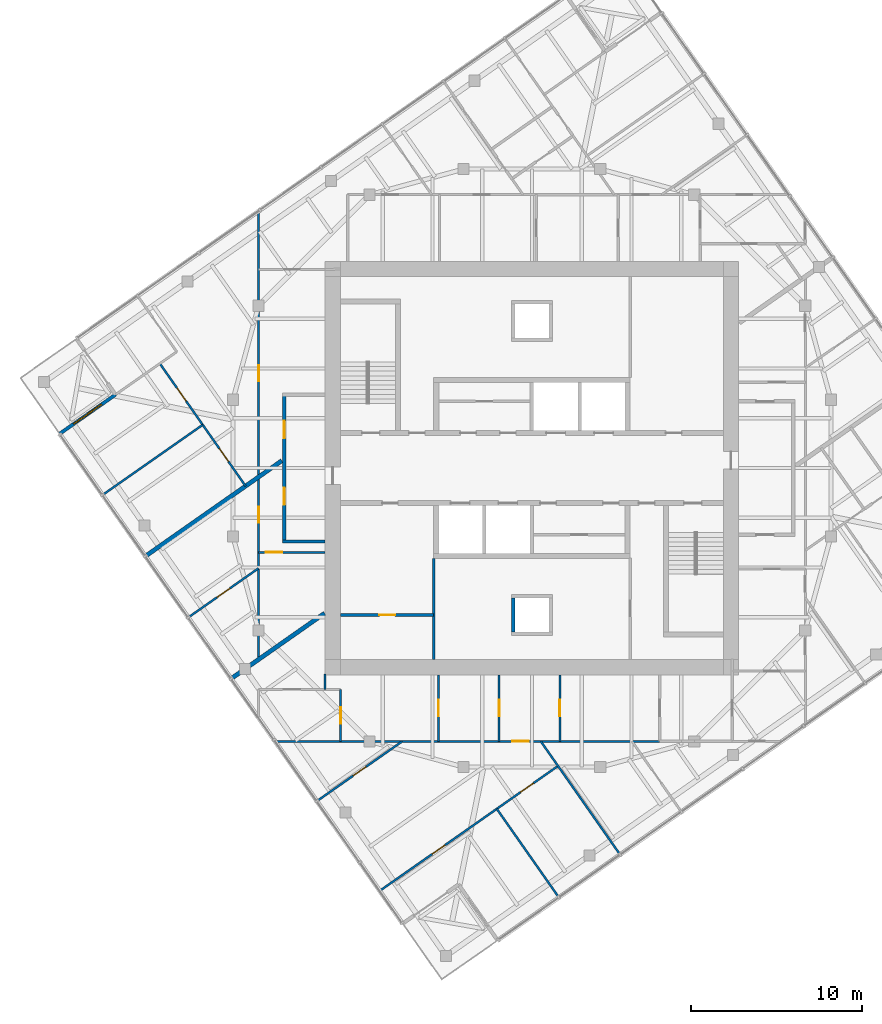
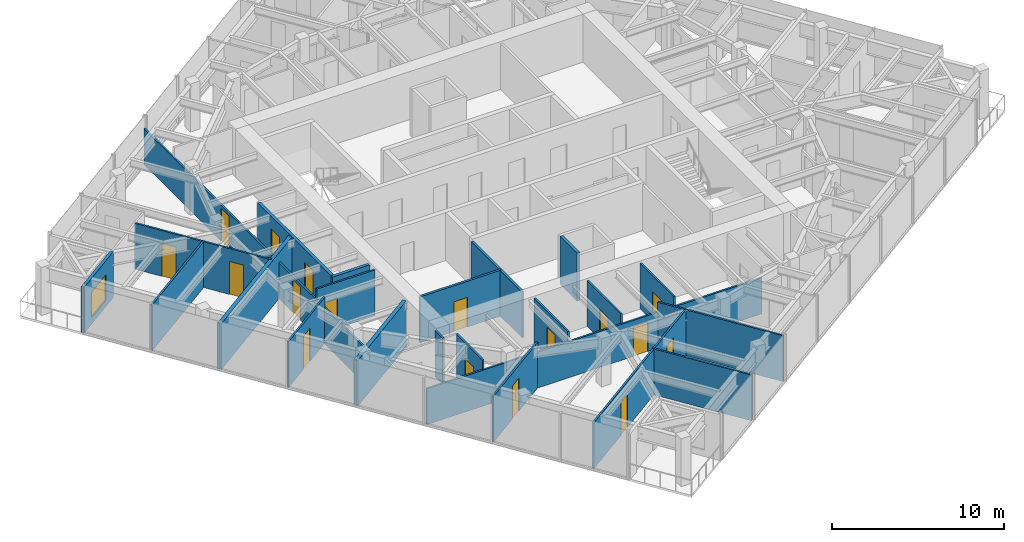
# One storey, part 7 of 12: 23 walls, 17 doors, 1 window, 18 openings.
"""IFC4 building model written with IfcOpenShell, lengths in metres."""

from ifc_helpers import new_model, si_unit, direction, frame, frame_2d, origin, place, context, subcontext, project, spatial, rectangle, extrude, material, layer, layer_set, type_object, element, fill, save


model = new_model("IFC4")

# Units and contexts
model_context = context("Model", 3, precision=1e-05, world=origin(), true_north=direction((0.0, 1.0)))
body_context = subcontext(model_context, "Body", "Model", "MODEL_VIEW")
ifc_project = project(units=[si_unit("LENGTHUNIT", "METRE"), si_unit("AREAUNIT", "SQUARE_METRE"), si_unit("VOLUMEUNIT", "CUBIC_METRE"), si_unit("PLANEANGLEUNIT", "RADIAN"), si_unit("MASSUNIT", "GRAM", prefix="KILO")], contexts=[model_context])

# Site, building, storey
site_placement = place(None, origin())
site = spatial("IfcSite", under=ifc_project, at=site_placement, CompositionType="ELEMENT")
building_placement = place(site_placement, origin())
building = spatial("IfcBuilding", under=site, at=building_placement, Name="Torsade Residences", CompositionType="ELEMENT")
storey_placement = place(building_placement, frame((0.0, 0.0, 257.39990234375)))
storey = spatial("IfcBuildingStorey", under=building, at=storey_placement, Name="L71", CompositionType="ELEMENT", Elevation=257.39990234375)

# Wall, openings, doors
ifc_material_1 = material(Name="Plasterboard on steel stud", Category="steel")
ifc_layer_1 = layer(ifc_material_1, 0.199951171875)
ifc_layer_set_1 = layer_set([ifc_layer_1], Name="Plasterboard on steel stud")
wall_type_1 = type_object("IfcWallType", Name="CORRIDOR WALL 200", PredefinedType="PARTITIONING", material=ifc_layer_set_1)
wall_1_placement = place(storey_placement, frame((25.5, 25.699951171875, 0.0), z_axis=(0.0, 0.0, 1.0), x_axis=(0.0, 1.0, 0.0)))
wall_1 = element("IfcWall", 1, at=wall_1_placement, inside=storey, type_object=wall_type_1, Name="Corridor wall L71", PredefinedType="PARTITIONING", context=body_context, shape_type="SweptSolid", body=[
    extrude(rectangle(XDim=8.60009765625, YDim=0.199951171875, at=frame_2d((4.300048828125, 0.0))), origin(), (0.0, 0.0, 1.0), 3.25),
])
opening_1_placement = place(wall_1_placement, frame((2.14208984375, 0.0, 0.0)))
opening_1 = element("IfcOpeningElement", 2, at=opening_1_placement, cuts=wall_1, Name="Opening D01", PredefinedType="OPENING", context=body_context, shape_type="SweptSolid", body=[
    extrude(rectangle(XDim=1.02001953125, YDim=2.340087890625, at=frame_2d((0.510009765625, 1.169921875))), frame((0.0, 0.10986328125, 0.0), z_axis=(0.0, -1.0, 0.0), x_axis=(1.0, 0.0, 0.0)), (0.0, 0.0, 1.0), 0.219970703125),
])
opening_2_placement = place(wall_1_placement, frame((6.036865234375, 0.0, 0.0)))
opening_2 = element("IfcOpeningElement", 3, at=opening_2_placement, cuts=wall_1, Name="Opening D01", PredefinedType="OPENING", context=body_context, shape_type="SweptSolid", body=[
    extrude(rectangle(XDim=1.02001953125, YDim=2.340087890625, at=frame_2d((0.510009765625, 1.169921875))), frame((0.0, 0.10986328125, 0.0), z_axis=(0.0, -1.0, 0.0), x_axis=(1.0, 0.0, 0.0)), (0.0, 0.0, 1.0), 0.219970703125),
])
ifc_material_2 = material(Name="Solid-core timber fire door", Category="wood")
door_type_1 = type_object("IfcDoorType", Name="APARTMENT ENTRY DOOR 1020x2340", OperationType="NOTDEFINED", PredefinedType="DOOR", material=ifc_material_2)
door_1_placement = place(opening_1_placement, origin())
door_1 = element("IfcDoor", 4, at=door_1_placement, inside=storey, type_object=door_type_1, Name="Door Residential corridor to Kitchen and dining", OperationType="SINGLE_SWING_RIGHT", OverallHeight=2.340087890625, OverallWidth=1.02001953125, PredefinedType="DOOR", context=body_context, shape_type="SweptSolid", body=[
    extrude(rectangle(XDim=1.02001953125, YDim=2.340087890625, at=frame_2d((0.510009765625, 1.169921875))), frame((0.0, 0.02490234375, 0.0), z_axis=(0.0, -1.0, 0.0), x_axis=(1.0, 0.0, 0.0)), (0.0, 0.0, 1.0), 0.050048828125),
])
fill(opening_1, door_1)
door_2_placement = place(opening_2_placement, origin())
door_2 = element("IfcDoor", 5, at=door_2_placement, inside=storey, type_object=door_type_1, Name="Door Residential corridor to Kitchen and dining", OperationType="SINGLE_SWING_LEFT", OverallHeight=2.340087890625, OverallWidth=1.02001953125, PredefinedType="DOOR", context=body_context, shape_type="SweptSolid", body=[
    extrude(rectangle(XDim=1.02001953125, YDim=2.340087890625, at=frame_2d((0.510009765625, 1.169921875))), frame((0.0, 0.02490234375, 0.0), z_axis=(0.0, -1.0, 0.0), x_axis=(1.0, 0.0, 0.0)), (0.0, 0.0, 1.0), 0.050048828125),
])
fill(opening_2, door_2)

# Wall
wall_2_placement = place(storey_placement, frame((27.89990234375, 25.699951171875, 0.0), z_axis=(0.0, 0.0, 1.0), x_axis=(-1.0, 0.0, 0.0)))
element("IfcWall", 6, at=wall_2_placement, inside=storey, type_object=wall_type_1, Name="Corridor wall L71", PredefinedType="PARTITIONING", context=body_context, shape_type="SweptSolid", body=[
    extrude(rectangle(XDim=2.5, YDim=0.199951171875, at=frame_2d((1.25, 0.0))), origin(), (0.0, 0.0, 1.0), 3.25),
])

# Wall, opening, door
ifc_material_3 = material(Name="Plasterboard on steel stud", Category="steel")
ifc_layer_2 = layer(ifc_material_3, 0.1201171875)
ifc_layer_set_2 = layer_set([ifc_layer_2], Name="Plasterboard on steel stud")
wall_type_2 = type_object("IfcWallType", Name="PARTITION 120", PredefinedType="PARTITIONING", material=ifc_layer_set_2)
wall_3_placement = place(storey_placement, frame((27.89990234375, 25.06787109375, 0.0), z_axis=(0.0, 0.0, 1.0), x_axis=(-1.0, 0.0, 0.0)))
wall_3 = element("IfcWall", 7, at=wall_3_placement, inside=storey, type_object=wall_type_2, Name="Partition L71", PredefinedType="PARTITIONING", context=body_context, shape_type="SweptSolid", body=[
    extrude(rectangle(XDim=3.89990234375, YDim=0.1201171875, at=frame_2d((1.949951171875, 0.0))), origin(), (0.0, 0.0, 1.0), 3.25),
])
opening_3_placement = place(wall_3_placement, frame((2.52001953125, 0.0, 0.0)))
opening_3 = element("IfcOpeningElement", 8, at=opening_3_placement, cuts=wall_3, Name="Opening D05", PredefinedType="OPENING", context=body_context, shape_type="SweptSolid", body=[
    extrude(rectangle(XDim=0.9599609375, YDim=2.10009765625, at=frame_2d((0.47998046875, 1.050048828125))), frame((0.0, 0.070068359375, 0.0), z_axis=(0.0, -1.0, 0.0), x_axis=(1.0, 0.0, 0.0)), (0.0, 0.0, 1.0), 0.14013671875),
])
ifc_material_4 = material(Name="Hollow-core timber door in a steel cavity frame", Category="steel")
door_type_2 = type_object("IfcDoorType", Name="BATHROOM CAVITY SLIDING DOOR 960", OperationType="SLIDING_TO_LEFT", PredefinedType="DOOR", material=ifc_material_4)
door_3_placement = place(opening_3_placement, origin())
door_3 = element("IfcDoor", 9, at=door_3_placement, inside=storey, type_object=door_type_2, Name="Door Kitchen and dining to Bathroom", OperationType="SLIDING_TO_LEFT", OverallHeight=2.10009765625, OverallWidth=0.9599609375, PredefinedType="DOOR", context=body_context, shape_type="SweptSolid", body=[
    extrude(rectangle(XDim=0.9599609375, YDim=2.10009765625, at=frame_2d((0.47998046875, 1.050048828125))), frame((0.0, 0.02490234375, 0.0), z_axis=(0.0, -1.0, 0.0), x_axis=(1.0, 0.0, 0.0)), (0.0, 0.0, 1.0), 0.050048828125),
])
fill(opening_3, door_3)

# Wall, openings, doors
wall_4_placement = place(storey_placement, frame((24.0, 18.796630859375, 0.0), z_axis=(0.0, 0.0, 1.0), x_axis=(0.0, 1.0, 0.0)))
wall_4 = element("IfcWall", 10, at=wall_4_placement, inside=storey, type_object=wall_type_2, Name="Partition L71", PredefinedType="PARTITIONING", context=body_context, shape_type="SweptSolid", body=[
    extrude(rectangle(XDim=26.19775390625, YDim=0.1201171875, at=frame_2d((13.098876953125, 0.0))), origin(), (0.0, 0.0, 1.0), 2.550048828125),
])
opening_4_placement = place(wall_4_placement, frame((8.016357421875, 0.0, 0.0)))
opening_4 = element("IfcOpeningElement", 11, at=opening_4_placement, cuts=wall_4, Name="Opening D02", PredefinedType="OPENING", context=body_context, shape_type="SweptSolid", body=[
    extrude(rectangle(XDim=0.919921875, YDim=2.340087890625, at=frame_2d((0.4599609375, 1.169921875))), frame((0.0, 0.070068359375, 0.0), z_axis=(0.0, -1.0, 0.0), x_axis=(1.0, 0.0, 0.0)), (0.0, 0.0, 1.0), 0.14013671875),
])
opening_5_placement = place(wall_4_placement, frame((16.291748046875, 0.0, 0.0)))
opening_5 = element("IfcOpeningElement", 12, at=opening_5_placement, cuts=wall_4, Name="Opening D02", PredefinedType="OPENING", context=body_context, shape_type="SweptSolid", body=[
    extrude(rectangle(XDim=0.919921875, YDim=2.340087890625, at=frame_2d((0.4599609375, 1.169921875))), frame((0.0, 0.070068359375, 0.0), z_axis=(0.0, -1.0, 0.0), x_axis=(1.0, 0.0, 0.0)), (0.0, 0.0, 1.0), 0.14013671875),
])
ifc_material_5 = material(Name="Hollow-core timber door", Category="wood")
door_type_3 = type_object("IfcDoorType", Name="INTERNAL DOOR 920x2340", OperationType="NOTDEFINED", PredefinedType="DOOR", material=ifc_material_5)
door_4_placement = place(opening_4_placement, origin())
door_4 = element("IfcDoor", 13, at=door_4_placement, inside=storey, type_object=door_type_3, Name="Door Kitchen and dining to Living room", OperationType="SINGLE_SWING_RIGHT", OverallHeight=2.340087890625, OverallWidth=0.919921875, PredefinedType="DOOR", context=body_context, shape_type="SweptSolid", body=[
    extrude(rectangle(XDim=0.919921875, YDim=2.340087890625, at=frame_2d((0.4599609375, 1.169921875))), frame((0.0, 0.02490234375, 0.0), z_axis=(0.0, -1.0, 0.0), x_axis=(1.0, 0.0, 0.0)), (0.0, 0.0, 1.0), 0.050048828125),
])
fill(opening_4, door_4)
door_5_placement = place(opening_5_placement, origin())
door_5 = element("IfcDoor", 14, at=door_5_placement, inside=storey, type_object=door_type_3, Name="Door Kitchen and dining to Living room", OperationType="SINGLE_SWING_LEFT", OverallHeight=2.340087890625, OverallWidth=0.919921875, PredefinedType="DOOR", context=body_context, shape_type="SweptSolid", body=[
    extrude(rectangle(XDim=0.919921875, YDim=2.340087890625, at=frame_2d((0.4599609375, 1.169921875))), frame((0.0, 0.02490234375, 0.0), z_axis=(0.0, -1.0, 0.0), x_axis=(1.0, 0.0, 0.0)), (0.0, 0.0, 1.0), 0.050048828125),
])
fill(opening_5, door_5)

# Wall, opening, door
wall_5_placement = place(storey_placement, frame((24.0, 24.1376953125, 0.0), z_axis=(0.0, 0.0, 1.0), x_axis=(-0.819144584763, -0.57358708951, 0.0)))
wall_5 = element("IfcWall", 15, at=wall_5_placement, inside=storey, type_object=wall_type_2, Name="Partition L71", PredefinedType="PARTITIONING", context=body_context, shape_type="SweptSolid", body=[
    extrude(rectangle(XDim=4.990966796875, YDim=0.1201171875, at=frame_2d((2.49560546875, 0.0))), origin(), (0.0, 0.0, 1.0), 3.25),
])
opening_6_placement = place(wall_5_placement, frame((2.055419921875, 0.0, 0.0)))
opening_6 = element("IfcOpeningElement", 16, at=opening_6_placement, cuts=wall_5, Name="Opening D02", PredefinedType="OPENING", context=body_context, shape_type="SweptSolid", body=[
    extrude(rectangle(XDim=0.919921875, YDim=2.340087890625, at=frame_2d((0.4599609375, 1.169921875))), frame((0.0, 0.070068359375, 0.0), z_axis=(0.0, -1.0, 0.0), x_axis=(1.0, 0.0, 0.0)), (0.0, 0.0, 1.0), 0.14013671875),
])
door_6_placement = place(opening_6_placement, origin())
door_6 = element("IfcDoor", 17, at=door_6_placement, inside=storey, type_object=door_type_3, Name="Door Living room to Bedroom 1", OperationType="SINGLE_SWING_LEFT", OverallHeight=2.340087890625, OverallWidth=0.919921875, PredefinedType="DOOR", context=body_context, shape_type="SweptSolid", body=[
    extrude(rectangle(XDim=0.919921875, YDim=2.340087890625, at=frame_2d((0.4599609375, 1.169921875))), frame((0.0, 0.02490234375, 0.0), z_axis=(0.0, -1.0, 0.0), x_axis=(1.0, 0.0, 0.0)), (0.0, 0.0, 1.0), 0.050048828125),
])
fill(opening_6, door_6)

# Wall
wall_6_placement = place(storey_placement, frame((27.89990234375, 17.949951171875, 0.0), z_axis=(0.0, 0.0, 1.0), x_axis=(0.0, -1.0, 0.0)))
element("IfcWall", 18, at=wall_6_placement, inside=storey, type_object=wall_type_2, Name="Partition L71", PredefinedType="PARTITIONING", context=body_context, shape_type="SweptSolid", body=[
    extrude(rectangle(XDim=0.90869140625, YDim=0.1201171875, at=frame_2d((0.454345703125, 0.0))), origin(), (0.0, 0.0, 1.0), 3.25),
])

# Wall, opening, door
wall_7_placement = place(storey_placement, frame((28.80712890625, 17.041259765625, 0.0), z_axis=(0.0, 0.0, 1.0), x_axis=(0.0, -1.0, 0.0)))
wall_7 = element("IfcWall", 19, at=wall_7_placement, inside=storey, type_object=wall_type_2, Name="Partition L71", PredefinedType="PARTITIONING", context=body_context, shape_type="SweptSolid", body=[
    extrude(rectangle(XDim=3.041259765625, YDim=0.1201171875, at=frame_2d((1.5205078125, 0.0))), origin(), (0.0, 0.0, 1.0), 3.25),
])
opening_7_placement = place(wall_7_placement, frame((1.04052734375, 0.0, 0.0)))
opening_7 = element("IfcOpeningElement", 20, at=opening_7_placement, cuts=wall_7, Name="Opening D05", PredefinedType="OPENING", context=body_context, shape_type="SweptSolid", body=[
    extrude(rectangle(XDim=0.9599609375, YDim=2.10009765625, at=frame_2d((0.47998046875, 1.050048828125))), frame((0.0, 0.070068359375, 0.0), z_axis=(0.0, -1.0, 0.0), x_axis=(1.0, 0.0, 0.0)), (0.0, 0.0, 1.0), 0.14013671875),
])
door_7_placement = place(opening_7_placement, origin())
door_7 = element("IfcDoor", 21, at=door_7_placement, inside=storey, type_object=door_type_2, Name="Door WC to Dressing room", OperationType="SLIDING_TO_LEFT", OverallHeight=2.10009765625, OverallWidth=0.9599609375, PredefinedType="DOOR", context=body_context, shape_type="SweptSolid", body=[
    extrude(rectangle(XDim=0.9599609375, YDim=2.10009765625, at=frame_2d((0.47998046875, 1.050048828125))), frame((0.0, 0.02490234375, 0.0), z_axis=(0.0, -1.0, 0.0), x_axis=(1.0, 0.0, 0.0)), (0.0, 0.0, 1.0), 0.050048828125),
])
fill(opening_7, door_7)

wall_8_placement = place(storey_placement, frame((47.476318359375, 14.0, 0.0), z_axis=(0.0, 0.0, 1.0), x_axis=(-1.0, 0.0, 0.0)))
wall_8 = element("IfcWall", 22, at=wall_8_placement, inside=storey, type_object=wall_type_2, Name="Partition L71", PredefinedType="PARTITIONING", context=body_context, shape_type="SweptSolid", body=[
    extrude(rectangle(XDim=22.470703125, YDim=0.1201171875, at=frame_2d((11.2353515625, 0.0))), origin(), (0.0, 0.0, 1.0), 2.550048828125),
])
opening_8_placement = place(wall_8_placement, frame((7.6640625, 0.0, 0.0)))
opening_8 = element("IfcOpeningElement", 23, at=opening_8_placement, cuts=wall_8, Name="Opening D05", PredefinedType="OPENING", context=body_context, shape_type="SweptSolid", body=[
    extrude(rectangle(XDim=0.9599609375, YDim=2.10009765625, at=frame_2d((0.47998046875, 1.050048828125))), frame((0.0, 0.070068359375, 0.0), z_axis=(0.0, -1.0, 0.0), x_axis=(1.0, 0.0, 0.0)), (0.0, 0.0, 1.0), 0.14013671875),
])
door_8_placement = place(opening_8_placement, origin())
door_8 = element("IfcDoor", 24, at=door_8_placement, inside=storey, type_object=door_type_2, Name="Door Ensuite to Living room", OperationType="SLIDING_TO_LEFT", OverallHeight=2.10009765625, OverallWidth=0.9599609375, PredefinedType="DOOR", context=body_context, shape_type="SweptSolid", body=[
    extrude(rectangle(XDim=0.9599609375, YDim=2.10009765625, at=frame_2d((0.47998046875, 1.050048828125))), frame((0.0, 0.02490234375, 0.0), z_axis=(0.0, -1.0, 0.0), x_axis=(1.0, 0.0, 0.0)), (0.0, 0.0, 1.0), 0.050048828125),
])
fill(opening_8, door_8)

wall_9_placement = place(storey_placement, frame((34.5302734375, 17.89990234375, 0.0), z_axis=(0.0, 0.0, 1.0), x_axis=(0.0, -1.0, 0.0)))
wall_9 = element("IfcWall", 25, at=wall_9_placement, inside=storey, type_object=wall_type_2, Name="Partition L71", PredefinedType="PARTITIONING", context=body_context, shape_type="SweptSolid", body=[
    extrude(rectangle(XDim=3.89990234375, YDim=0.1201171875, at=frame_2d((1.949951171875, 0.0))), origin(), (0.0, 0.0, 1.0), 3.25),
])
opening_9_placement = place(wall_9_placement, frame((1.469970703125, 0.0, 0.0)))
opening_9 = element("IfcOpeningElement", 26, at=opening_9_placement, cuts=wall_9, Name="Opening D05", PredefinedType="OPENING", context=body_context, shape_type="SweptSolid", body=[
    extrude(rectangle(XDim=0.9599609375, YDim=2.10009765625, at=frame_2d((0.47998046875, 1.050048828125))), frame((0.0, 0.070068359375, 0.0), z_axis=(0.0, -1.0, 0.0), x_axis=(1.0, 0.0, 0.0)), (0.0, 0.0, 1.0), 0.14013671875),
])
door_9_placement = place(opening_9_placement, origin())
door_9 = element("IfcDoor", 27, at=door_9_placement, inside=storey, type_object=door_type_2, Name="Door Dressing room 2 to WC", OperationType="SLIDING_TO_LEFT", OverallHeight=2.10009765625, OverallWidth=0.9599609375, PredefinedType="DOOR", context=body_context, shape_type="SweptSolid", body=[
    extrude(rectangle(XDim=0.9599609375, YDim=2.10009765625, at=frame_2d((0.47998046875, 1.050048828125))), frame((0.0, 0.02490234375, 0.0), z_axis=(0.0, -1.0, 0.0), x_axis=(1.0, 0.0, 0.0)), (0.0, 0.0, 1.0), 0.050048828125),
])
fill(opening_9, door_9)

wall_10_placement = place(storey_placement, frame((38.081787109375, 14.0, 0.0), z_axis=(0.0, 0.0, 1.0), x_axis=(0.0, 1.0, 0.0)))
wall_10 = element("IfcWall", 28, at=wall_10_placement, inside=storey, type_object=wall_type_2, Name="Partition L71", PredefinedType="PARTITIONING", context=body_context, shape_type="SweptSolid", body=[
    extrude(rectangle(XDim=3.89990234375, YDim=0.1201171875, at=frame_2d((1.949951171875, 0.0))), origin(), (0.0, 0.0, 1.0), 3.25),
])
opening_10_placement = place(wall_10_placement, frame((1.469970703125, 0.0, 0.0)))
opening_10 = element("IfcOpeningElement", 29, at=opening_10_placement, cuts=wall_10, Name="Opening D05", PredefinedType="OPENING", context=body_context, shape_type="SweptSolid", body=[
    extrude(rectangle(XDim=0.9599609375, YDim=2.10009765625, at=frame_2d((0.47998046875, 1.050048828125))), frame((0.0, 0.070068359375, 0.0), z_axis=(0.0, -1.0, 0.0), x_axis=(1.0, 0.0, 0.0)), (0.0, 0.0, 1.0), 0.14013671875),
])
door_10_placement = place(opening_10_placement, origin())
door_10 = element("IfcDoor", 30, at=door_10_placement, inside=storey, type_object=door_type_2, Name="Door Ensuite to Dressing room 2", OperationType="SLIDING_TO_LEFT", OverallHeight=2.10009765625, OverallWidth=0.9599609375, PredefinedType="DOOR", context=body_context, shape_type="SweptSolid", body=[
    extrude(rectangle(XDim=0.9599609375, YDim=2.10009765625, at=frame_2d((0.47998046875, 1.050048828125))), frame((0.0, 0.02490234375, 0.0), z_axis=(0.0, -1.0, 0.0), x_axis=(1.0, 0.0, 0.0)), (0.0, 0.0, 1.0), 0.050048828125),
])
fill(opening_10, door_10)

wall_11_placement = place(storey_placement, frame((41.633544921875, 17.89990234375, 0.0), z_axis=(0.0, 0.0, 1.0), x_axis=(0.0, -1.0, 0.0)))
wall_11 = element("IfcWall", 31, at=wall_11_placement, inside=storey, type_object=wall_type_2, Name="Partition L71", PredefinedType="PARTITIONING", context=body_context, shape_type="SweptSolid", body=[
    extrude(rectangle(XDim=3.89990234375, YDim=0.1201171875, at=frame_2d((1.949951171875, 0.0))), origin(), (0.0, 0.0, 1.0), 3.25),
])
opening_11_placement = place(wall_11_placement, frame((1.469970703125, 0.0, 0.0)))
opening_11 = element("IfcOpeningElement", 32, at=opening_11_placement, cuts=wall_11, Name="Opening D05", PredefinedType="OPENING", context=body_context, shape_type="SweptSolid", body=[
    extrude(rectangle(XDim=0.9599609375, YDim=2.10009765625, at=frame_2d((0.47998046875, 1.050048828125))), frame((0.0, 0.070068359375, 0.0), z_axis=(0.0, -1.0, 0.0), x_axis=(1.0, 0.0, 0.0)), (0.0, 0.0, 1.0), 0.14013671875),
])
door_11_placement = place(opening_11_placement, origin())
door_11 = element("IfcDoor", 33, at=door_11_placement, inside=storey, type_object=door_type_2, Name="Door Laundry to Ensuite", OperationType="SLIDING_TO_LEFT", OverallHeight=2.10009765625, OverallWidth=0.9599609375, PredefinedType="DOOR", context=body_context, shape_type="SweptSolid", body=[
    extrude(rectangle(XDim=0.9599609375, YDim=2.10009765625, at=frame_2d((0.47998046875, 1.050048828125))), frame((0.0, 0.02490234375, 0.0), z_axis=(0.0, -1.0, 0.0), x_axis=(1.0, 0.0, 0.0)), (0.0, 0.0, 1.0), 0.050048828125),
])
fill(opening_11, door_11)

# Wall, openings, doors
wall_12_placement = place(storey_placement, frame((41.528076171875, 12.5625, 0.0), z_axis=(0.0, 0.0, 1.0), x_axis=(-0.819146182185, -0.573584808212, 0.0)))
wall_12 = element("IfcWall", 34, at=wall_12_placement, inside=storey, type_object=wall_type_2, Name="Partition L71", PredefinedType="PARTITIONING", context=body_context, shape_type="SweptSolid", body=[
    extrude(rectangle(XDim=12.7099609375, YDim=0.1201171875, at=frame_2d((6.35498046875, 0.0))), origin(), (0.0, 0.0, 1.0), 3.25),
])
opening_12_placement = place(wall_12_placement, frame((8.077392578125, 0.0, 0.0)))
opening_12 = element("IfcOpeningElement", 35, at=opening_12_placement, cuts=wall_12, Name="Opening D02", PredefinedType="OPENING", context=body_context, shape_type="SweptSolid", body=[
    extrude(rectangle(XDim=0.919921875, YDim=2.340087890625, at=frame_2d((0.4599609375, 1.169921875))), frame((0.0, 0.070068359375, 0.0), z_axis=(0.0, -1.0, 0.0), x_axis=(1.0, 0.0, 0.0)), (0.0, 0.0, 1.0), 0.14013671875),
])
opening_13_placement = place(wall_12_placement, frame((1.75244140625, 0.0, 0.0)))
opening_13 = element("IfcOpeningElement", 36, at=opening_13_placement, cuts=wall_12, Name="Opening D02", PredefinedType="OPENING", context=body_context, shape_type="SweptSolid", body=[
    extrude(rectangle(XDim=0.919921875, YDim=2.340087890625, at=frame_2d((0.4599609375, 1.169921875))), frame((0.0, 0.070068359375, 0.0), z_axis=(0.0, -1.0, 0.0), x_axis=(1.0, 0.0, 0.0)), (0.0, 0.0, 1.0), 0.14013671875),
])
door_12_placement = place(opening_12_placement, origin())
door_12 = element("IfcDoor", 37, at=door_12_placement, inside=storey, type_object=door_type_3, Name="Door Living room to Bedroom 1", OperationType="SINGLE_SWING_LEFT", OverallHeight=2.340087890625, OverallWidth=0.919921875, PredefinedType="DOOR", context=body_context, shape_type="SweptSolid", body=[
    extrude(rectangle(XDim=0.919921875, YDim=2.340087890625, at=frame_2d((0.4599609375, 1.169921875))), frame((0.0, 0.02490234375, 0.0), z_axis=(0.0, -1.0, 0.0), x_axis=(1.0, 0.0, 0.0)), (0.0, 0.0, 1.0), 0.050048828125),
])
fill(opening_12, door_12)
door_13_placement = place(opening_13_placement, origin())
door_13 = element("IfcDoor", 38, at=door_13_placement, inside=storey, type_object=door_type_3, Name="Door Living room to Study 2", OperationType="SINGLE_SWING_RIGHT", OverallHeight=2.340087890625, OverallWidth=0.919921875, PredefinedType="DOOR", context=body_context, shape_type="SweptSolid", body=[
    extrude(rectangle(XDim=0.919921875, YDim=2.340087890625, at=frame_2d((0.4599609375, 1.169921875))), frame((0.0, 0.02490234375, 0.0), z_axis=(0.0, -1.0, 0.0), x_axis=(1.0, 0.0, 0.0)), (0.0, 0.0, 1.0), 0.050048828125),
])
fill(opening_13, door_13)

# Wall
wall_13_placement = place(storey_placement, frame((40.521484375, 14.0, 0.0), z_axis=(0.0, 0.0, 1.0), x_axis=(0.573574225095, -0.819153592623, 0.0)))
element("IfcWall", 39, at=wall_13_placement, inside=storey, type_object=wall_type_2, Name="Partition L71", PredefinedType="PARTITIONING", context=body_context, shape_type="SweptSolid", body=[
    extrude(rectangle(XDim=8.054443359375, YDim=0.1201171875, at=frame_2d((4.02734375, 0.0))), origin(), (0.0, 0.0, 1.0), 3.25),
])

# Wall, opening, door
wall_14_placement = place(storey_placement, frame((27.439697265625, 10.5234375, 0.0), z_axis=(0.0, 0.0, 1.0), x_axis=(0.81915432861, 0.573573173989, 0.0)))
wall_14 = element("IfcWall", 40, at=wall_14_placement, inside=storey, type_object=wall_type_2, Name="Partition L71", PredefinedType="PARTITIONING", context=body_context, shape_type="SweptSolid", body=[
    extrude(rectangle(XDim=6.061279296875, YDim=0.1201171875, at=frame_2d((3.03076171875, 0.0))), origin(), (0.0, 0.0, 1.0), 3.25),
])
opening_14_placement = place(wall_14_placement, frame((2.550537109375, 0.0, 0.0)))
opening_14 = element("IfcOpeningElement", 41, at=opening_14_placement, cuts=wall_14, Name="Opening D02", PredefinedType="OPENING", context=body_context, shape_type="SweptSolid", body=[
    extrude(rectangle(XDim=0.919921875, YDim=2.340087890625, at=frame_2d((0.4599609375, 1.169921875))), frame((0.0, 0.070068359375, 0.0), z_axis=(0.0, -1.0, 0.0), x_axis=(1.0, 0.0, 0.0)), (0.0, 0.0, 1.0), 0.14013671875),
])
door_14_placement = place(opening_14_placement, origin())
door_14 = element("IfcDoor", 42, at=door_14_placement, inside=storey, type_object=door_type_3, Name="Door Living room to Family room 2", OperationType="SINGLE_SWING_RIGHT", OverallHeight=2.340087890625, OverallWidth=0.919921875, PredefinedType="DOOR", context=body_context, shape_type="SweptSolid", body=[
    extrude(rectangle(XDim=0.919921875, YDim=2.340087890625, at=frame_2d((0.4599609375, 1.169921875))), frame((0.0, 0.02490234375, 0.0), z_axis=(0.0, -1.0, 0.0), x_axis=(1.0, 0.0, 0.0)), (0.0, 0.0, 1.0), 0.050048828125),
])
fill(opening_14, door_14)

# Wall
wall_15_placement = place(storey_placement, frame((37.9443359375, 10.052978515625, 0.0), z_axis=(0.0, 0.0, 1.0), x_axis=(0.573587188897, -0.81914451517, 0.0)))
element("IfcWall", 43, at=wall_15_placement, inside=storey, type_object=wall_type_2, Name="Partition L71", PredefinedType="PARTITIONING", context=body_context, shape_type="SweptSolid", body=[
    extrude(rectangle(XDim=6.299560546875, YDim=0.1201171875, at=frame_2d((3.14990234375, 0.0))), origin(), (0.0, 0.0, 1.0), 3.25),
])

# Wall, openings, doors
wall_16_placement = place(storey_placement, frame((23.240234375, 28.946533203125, 0.0), z_axis=(0.0, 0.0, 1.0), x_axis=(-0.573582185905, 0.819148018378, 0.0)))
wall_16 = element("IfcWall", 44, at=wall_16_placement, inside=storey, type_object=wall_type_2, Name="Partition L71", PredefinedType="PARTITIONING", context=body_context, shape_type="SweptSolid", body=[
    extrude(rectangle(XDim=8.75, YDim=0.1201171875, at=frame_2d((4.375, 0.0))), origin(), (0.0, 0.0, 1.0), 3.25),
])
opening_15_placement = place(wall_16_placement, frame((6.07763671875, 0.0, 0.0)))
opening_15 = element("IfcOpeningElement", 45, at=opening_15_placement, cuts=wall_16, Name="Opening D02", PredefinedType="OPENING", context=body_context, shape_type="SweptSolid", body=[
    extrude(rectangle(XDim=0.919921875, YDim=2.340087890625, at=frame_2d((0.4599609375, 1.169921875))), frame((0.0, 0.070068359375, 0.0), z_axis=(0.0, -1.0, 0.0), x_axis=(1.0, 0.0, 0.0)), (0.0, 0.0, 1.0), 0.14013671875),
])
opening_16_placement = place(wall_16_placement, frame((1.75244140625, 0.0, 0.0)))
opening_16 = element("IfcOpeningElement", 46, at=opening_16_placement, cuts=wall_16, Name="Opening D02", PredefinedType="OPENING", context=body_context, shape_type="SweptSolid", body=[
    extrude(rectangle(XDim=0.919921875, YDim=2.340087890625, at=frame_2d((0.4599609375, 1.169921875))), frame((0.0, 0.070068359375, 0.0), z_axis=(0.0, -1.0, 0.0), x_axis=(1.0, 0.0, 0.0)), (0.0, 0.0, 1.0), 0.14013671875),
])
door_15_placement = place(opening_15_placement, origin())
door_15 = element("IfcDoor", 47, at=door_15_placement, inside=storey, type_object=door_type_3, Name="Door Living room to Bedroom 3", OperationType="SINGLE_SWING_RIGHT", OverallHeight=2.340087890625, OverallWidth=0.919921875, PredefinedType="DOOR", context=body_context, shape_type="SweptSolid", body=[
    extrude(rectangle(XDim=0.919921875, YDim=2.340087890625, at=frame_2d((0.4599609375, 1.169921875))), frame((0.0, 0.02490234375, 0.0), z_axis=(0.0, -1.0, 0.0), x_axis=(1.0, 0.0, 0.0)), (0.0, 0.0, 1.0), 0.050048828125),
])
fill(opening_15, door_15)
door_16_placement = place(opening_16_placement, origin())
door_16 = element("IfcDoor", 48, at=door_16_placement, inside=storey, type_object=door_type_3, Name="Door Living room to Bedroom 4", OperationType="SINGLE_SWING_LEFT", OverallHeight=2.340087890625, OverallWidth=0.919921875, PredefinedType="DOOR", context=body_context, shape_type="SweptSolid", body=[
    extrude(rectangle(XDim=0.919921875, YDim=2.340087890625, at=frame_2d((0.4599609375, 1.169921875))), frame((0.0, 0.02490234375, 0.0), z_axis=(0.0, -1.0, 0.0), x_axis=(1.0, 0.0, 0.0)), (0.0, 0.0, 1.0), 0.050048828125),
])
fill(opening_16, door_16)

# Walls
wall_17_placement = place(storey_placement, frame((20.73095703125, 32.5302734375, 0.0), z_axis=(0.0, 0.0, 1.0), x_axis=(-0.819153056029, -0.573574991434, 0.0)))
element("IfcWall", 49, at=wall_17_placement, inside=storey, type_object=wall_type_2, Name="Partition L71", PredefinedType="PARTITIONING", context=body_context, shape_type="SweptSolid", body=[
    extrude(rectangle(XDim=7.126953125, YDim=0.1201171875, at=frame_2d((3.5634765625, 0.0))), origin(), (0.0, 0.0, 1.0), 3.25),
])
ifc_material_6 = material(Name="Masonry-lined stud party wall", Category="masonry")
ifc_layer_3 = layer(ifc_material_6, 0.25)
ifc_layer_set_3 = layer_set([ifc_layer_3], Name="Masonry-lined stud party wall")
wall_type_3 = type_object("IfcWallType", Name="PARTY WALL 250", PredefinedType="PARTITIONING", material=ifc_layer_set_3)
wall_18_placement = place(storey_placement, frame((22.38818359375, 17.668212890625, 0.0), z_axis=(0.0, 0.0, 1.0), x_axis=(0.819161528122, 0.573562891796, 0.0)))
element("IfcWall", 50, at=wall_18_placement, inside=storey, type_object=wall_type_3, Name="Party wall L71", PredefinedType="PARTITIONING", context=body_context, shape_type="SweptSolid", body=[
    extrude(rectangle(XDim=6.68115234375, YDim=0.25, at=frame_2d((3.340576171875, 0.0))), origin(), (0.0, 0.0, 1.0), 3.25),
])
wall_19_placement = place(storey_placement, frame((17.369384765625, 24.835693359375, 0.0), z_axis=(0.0, 0.0, 1.0), x_axis=(0.81915902312, 0.573566469418, 0.0)))
element("IfcWall", 51, at=wall_19_placement, inside=storey, type_object=wall_type_3, Name="Party wall L71", PredefinedType="PARTITIONING", context=body_context, shape_type="SweptSolid", body=[
    extrude(rectangle(XDim=9.755859375, YDim=0.25, at=frame_2d((4.8779296875, 0.0))), origin(), (0.0, 0.0, 1.0), 3.25),
])
ifc_material_7 = material(Name="Reinforced blockwork", Category="masonry")
ifc_layer_4 = layer(ifc_material_7, 0.199951171875)
ifc_layer_set_4 = layer_set([ifc_layer_4], Name="Reinforced blockwork")
wall_type_4 = type_object("IfcWallType", Name="RISER SHAFT WALL 200", PredefinedType="SOLIDWALL", material=ifc_layer_set_4)
wall_20_placement = place(storey_placement, frame((38.89990234375, 22.39990234375, 0.0), z_axis=(0.0, 0.0, 1.0), x_axis=(0.0, -1.0, 0.0)))
element("IfcWall", 52, at=wall_20_placement, inside=storey, type_object=wall_type_4, Name="Core wall RS2a L71", PredefinedType="SOLIDWALL", context=body_context, shape_type="SweptSolid", body=[
    extrude(rectangle(XDim=2.0, YDim=0.199951171875, at=frame_2d((1.0, 0.0))), origin(), (0.0, 0.0, 1.0), 3.400146484375),
])
ifc_material_8 = material(Name="Reinforced blockwork", Category="masonry")
ifc_layer_5 = layer(ifc_material_8, 0.14990234375)
ifc_layer_set_5 = layer_set([ifc_layer_5], Name="Reinforced blockwork")
wall_type_5 = type_object("IfcWallType", Name="SERVICE ROOM WALL 150", PredefinedType="SOLIDWALL", material=ifc_layer_set_5)
wall_21_placement = place(storey_placement, frame((34.25, 18.800048828125, 0.0), z_axis=(0.0, 0.0, 1.0), x_axis=(0.0, 1.0, 0.0)))
element("IfcWall", 53, at=wall_21_placement, inside=storey, type_object=wall_type_5, Name="Service room wall L71", PredefinedType="SOLIDWALL", context=body_context, shape_type="SweptSolid", body=[
    extrude(rectangle(XDim=5.89990234375, YDim=0.14990234375, at=frame_2d((2.949951171875, 0.0))), origin(), (0.0, 0.0, 1.0), 3.25),
])

# Wall, opening, door
wall_22_placement = place(storey_placement, frame((34.25, 21.39990234375, 0.0), z_axis=(0.0, 0.0, 1.0), x_axis=(-1.0, 0.0, 0.0)))
wall_22 = element("IfcWall", 54, at=wall_22_placement, inside=storey, type_object=wall_type_5, Name="Service room wall L71", PredefinedType="SOLIDWALL", context=body_context, shape_type="SweptSolid", body=[
    extrude(rectangle(XDim=5.449951171875, YDim=0.14990234375, at=frame_2d((2.72509765625, 0.0))), origin(), (0.0, 0.0, 1.0), 3.25),
])
opening_17_placement = place(wall_22_placement, frame((2.264892578125, 0.0, 0.0)))
opening_17 = element("IfcOpeningElement", 55, at=opening_17_placement, cuts=wall_22, Name="Opening D06", PredefinedType="OPENING", context=body_context, shape_type="SweptSolid", body=[
    extrude(rectangle(XDim=0.919921875, YDim=2.10009765625, at=frame_2d((0.4599609375, 1.050048828125))), frame((0.0, 0.0849609375, 0.0), z_axis=(0.0, -1.0, 0.0), x_axis=(1.0, 0.0, 0.0)), (0.0, 0.0, 1.0), 0.169921875),
])
ifc_material_9 = material(Name="Steel-framed fire door", Category="steel")
door_type_4 = type_object("IfcDoorType", Name="FIRE DOOR 920", OperationType="NOTDEFINED", PredefinedType="DOOR", material=ifc_material_9)
door_17_placement = place(opening_17_placement, origin())
door_17 = element("IfcDoor", 56, at=door_17_placement, inside=storey, type_object=door_type_4, Name="Door Cleaner store to Building store", OperationType="SINGLE_SWING_LEFT", OverallHeight=2.10009765625, OverallWidth=0.919921875, PredefinedType="DOOR", context=body_context, shape_type="SweptSolid", body=[
    extrude(rectangle(XDim=0.919921875, YDim=2.10009765625, at=frame_2d((0.4599609375, 1.050048828125))), frame((0.0, 0.02490234375, 0.0), z_axis=(0.0, -1.0, 0.0), x_axis=(1.0, 0.0, 0.0)), (0.0, 0.0, 1.0), 0.050048828125),
])
fill(opening_17, door_17)

# Wall, opening, window
ifc_material_10 = material(Name="Stone-faced precast concrete 40 MPa panel", Category="masonry")
ifc_layer_6 = layer(ifc_material_10, 0.199951171875)
ifc_layer_set_6 = layer_set([ifc_layer_6], Name="Stone-faced precast concrete 40 MPa panel")
wall_type_6 = type_object("IfcWallType", Name="TERRACE WALL 200", PredefinedType="SOLIDWALL", material=ifc_layer_set_6)
wall_23_placement = place(storey_placement, frame((15.627197265625, 34.297607421875, 0.0), z_axis=(0.0, 0.0, 1.0), x_axis=(-0.819137286189, -0.573597512525, 0.0)))
wall_23 = element("IfcWall", 57, at=wall_23_placement, inside=storey, type_object=wall_type_6, Name="Terrace wall L71 9", PredefinedType="SOLIDWALL", context=body_context, shape_type="SweptSolid", body=[
    extrude(rectangle(XDim=4.0, YDim=0.199951171875, at=frame_2d((2.0, 0.0))), origin(), (0.0, 0.0, 1.0), 3.25),
])
opening_18_placement = place(wall_23_placement, frame((1.0, 0.0, 0.449951171875)))
opening_18 = element("IfcOpeningElement", 58, at=opening_18_placement, cuts=wall_23, Name="Opening W1B", PredefinedType="OPENING", context=body_context, shape_type="SweptSolid", body=[
    extrude(rectangle(XDim=2.0, YDim=1.800048828125, at=frame_2d((1.0, 0.89990234375))), frame((0.0, 0.10986328125, 0.0), z_axis=(0.0, -1.0, 0.0), x_axis=(1.0, 0.0, 0.0)), (0.0, 0.0, 1.0), 0.219970703125),
])
ifc_material_11 = material(Name="Aluminium-framed glass window", Category="aluminium")
window_type = type_object("IfcWindowType", Name="TERRACE WINDOW 2000x1800", PartitioningType="SINGLE_PANEL", PredefinedType="WINDOW", material=ifc_material_11)
window_placement = place(opening_18_placement, origin())
window = element("IfcWindow", 59, at=window_placement, inside=storey, type_object=window_type, Name="Terrace window L71 9", OverallHeight=1.800048828125, OverallWidth=2.0, PartitioningType="SINGLE_PANEL", PredefinedType="WINDOW", context=body_context, shape_type="SweptSolid", body=[
    extrude(rectangle(XDim=2.0, YDim=1.800048828125, at=frame_2d((1.0, 0.89990234375))), frame((0.0, 0.030029296875, 0.0), z_axis=(0.0, -1.0, 0.0), x_axis=(1.0, 0.0, 0.0)), (0.0, 0.0, 1.0), 0.06005859375),
])
fill(opening_18, window)

save(model, "model.ifc")
